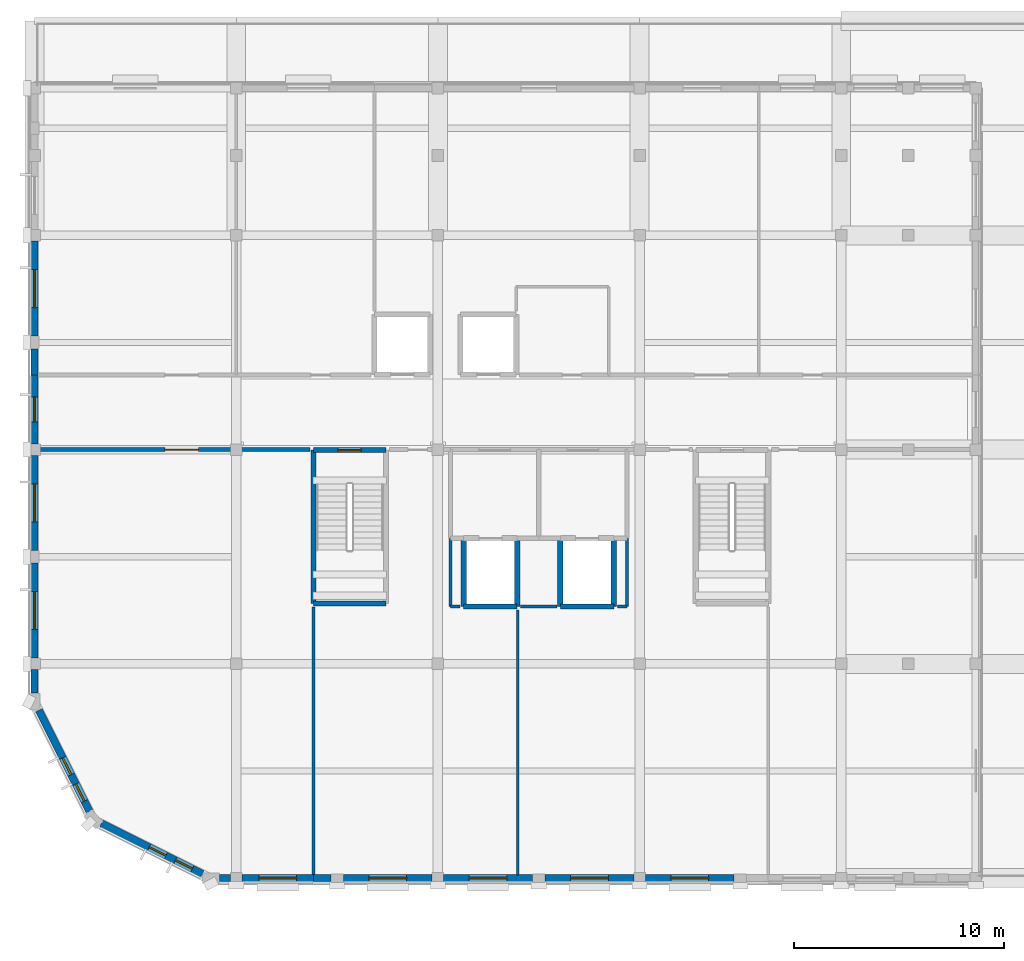
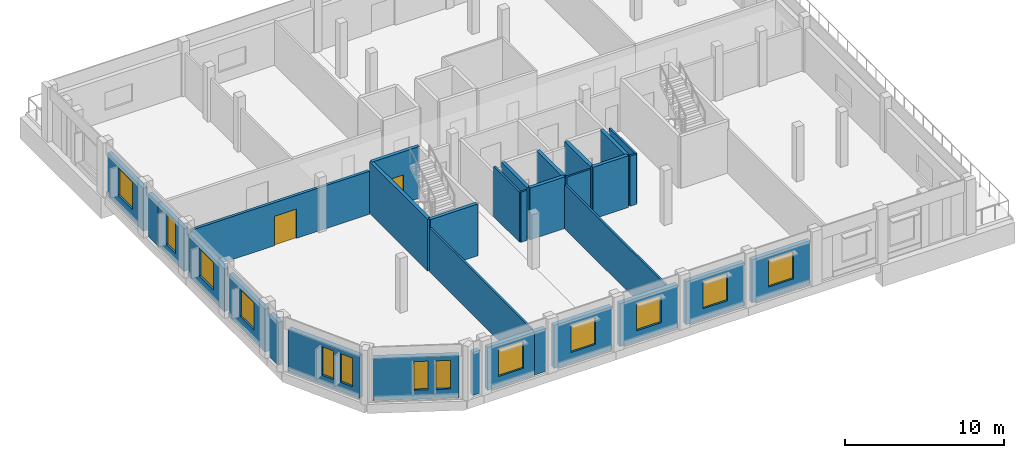
# One storey, part 59 of 70: 32 walls, 13 windows, 2 doors, 15 openings.
"""IFC4 building model written with IfcOpenShell, lengths in metres."""

from ifc_helpers import new_model, si_unit, direction, frame, frame_2d, origin, place, context, subcontext, project, spatial, rectangle, extrude, material, layer, layer_set, type_object, element, fill, save


model = new_model("IFC4")

# Units and contexts
model_context = context("Model", 3, precision=1e-05, world=origin(), true_north=direction((0.0, 1.0)))
body_context = subcontext(model_context, "Body", "Model", "MODEL_VIEW")
ifc_project = project(units=[si_unit("LENGTHUNIT", "METRE"), si_unit("AREAUNIT", "SQUARE_METRE"), si_unit("VOLUMEUNIT", "CUBIC_METRE"), si_unit("PLANEANGLEUNIT", "RADIAN"), si_unit("MASSUNIT", "GRAM", prefix="KILO")], contexts=[model_context])

# Site, building, storey
site_placement = place(None, origin())
site = spatial("IfcSite", under=ifc_project, at=site_placement, CompositionType="ELEMENT")
building_placement = place(site_placement, origin())
building = spatial("IfcBuilding", under=site, at=building_placement, Name="Vondelvale Polytechnic", CompositionType="ELEMENT")
storey_placement = place(building_placement, frame((0.0, 0.0, 22.199951171875)))
storey = spatial("IfcBuildingStorey", under=building, at=storey_placement, Name="L05", CompositionType="ELEMENT", Elevation=22.199951171875)

# Wall
ifc_material_1 = material(Name="Amsterdam School iron-spot clinker clay brickwork", Category="masonry")
ifc_layer_1 = layer(ifc_material_1, 0.320068359375)
ifc_layer_set_1 = layer_set([ifc_layer_1], Name="WL-BRICK-320")
wall_type_1 = type_object("IfcWallType", Name="WL-BRICK-320", PredefinedType="SOLIDWALL", material=ifc_layer_set_1)
wall_1_placement = place(storey_placement, frame((9.323974609375, 0.0, 0.0), z_axis=(0.0, 0.0, 1.0), x_axis=(-1.0, 0.0, 0.0)))
element("IfcWall", 1, at=wall_1_placement, inside=storey, type_object=wall_type_1, Name="L05 exterior masonry facade wall", PredefinedType="SOLIDWALL", context=body_context, shape_type="SweptSolid", body=[
    extrude(rectangle(XDim=0.52294921875, YDim=0.320068359375, at=frame_2d((0.261474609375, 0.0))), origin(), (0.0, 0.0, 1.0), 3.300048828125),
])

# Wall, opening, window
wall_2_placement = place(storey_placement, frame((13.27490234375, 0.0, 0.0), z_axis=(0.0, 0.0, 1.0), x_axis=(-1.0, 0.0, 0.0)))
wall_2 = element("IfcWall", 2, at=wall_2_placement, inside=storey, type_object=wall_type_1, Name="L05 exterior masonry facade wall", PredefinedType="SOLIDWALL", context=body_context, shape_type="SweptSolid", body=[
    extrude(rectangle(XDim=3.39892578125, YDim=0.320068359375, at=frame_2d((1.699462890625, 0.0))), origin(), (0.0, 0.0, 1.0), 3.300048828125),
])
opening_1_placement = place(wall_2_placement, frame((0.799560546875, 0.0, 0.800048828125)))
opening_1 = element("IfcOpeningElement", 3, at=opening_1_placement, cuts=wall_2, Name="Opening WN-0256", PredefinedType="OPENING", context=body_context, shape_type="SweptSolid", body=[
    extrude(rectangle(XDim=1.800048828125, YDim=2.10009765625, at=frame_2d((0.89990234375, 1.050048828125))), frame((0.0, 0.169921875, 0.0), z_axis=(0.0, -1.0, 0.0), x_axis=(1.0, 0.0, 0.0)), (0.0, 0.0, 1.0), 0.340087890625),
])
ifc_material_2 = material(Name="Double-glazed low-E insulated architectural glass", Category="glass")
window_type_1 = type_object("IfcWindowType", Name="WN-LAB-1800x2100", PartitioningType="SINGLE_PANEL", PredefinedType="WINDOW", material=ifc_material_2)
window_1_placement = place(opening_1_placement, origin())
window_1 = element("IfcWindow", 4, at=window_1_placement, inside=storey, type_object=window_type_1, Name="L05 double-glazed architectural window WN-0256", OverallHeight=2.10009765625, OverallWidth=1.800048828125, PartitioningType="SINGLE_PANEL", PredefinedType="WINDOW", context=body_context, shape_type="SweptSolid", body=[
    extrude(rectangle(XDim=1.800048828125, YDim=2.10009765625, at=frame_2d((0.89990234375, 1.050048828125))), frame((0.0, 0.030029296875, 0.0), z_axis=(0.0, -1.0, 0.0), x_axis=(1.0, 0.0, 0.0)), (0.0, 0.0, 1.0), 0.06005859375),
])
fill(opening_1, window_1)

# Wall
wall_3_placement = place(storey_placement, frame((14.09912109375, 0.0, 0.0), z_axis=(0.0, 0.0, 1.0), x_axis=(-1.0, 0.0, 0.0)))
element("IfcWall", 5, at=wall_3_placement, inside=storey, type_object=wall_type_1, Name="L05 exterior masonry facade wall", PredefinedType="SOLIDWALL", context=body_context, shape_type="SweptSolid", body=[
    extrude(rectangle(XDim=0.82421875, YDim=0.320068359375, at=frame_2d((0.412109375, 0.0))), origin(), (0.0, 0.0, 1.0), 3.300048828125),
])

# Wall, opening, window
wall_4_placement = place(storey_placement, frame((18.924072265625, 0.0, 0.0), z_axis=(0.0, 0.0, 1.0), x_axis=(-1.0, 0.0, 0.0)))
wall_4 = element("IfcWall", 6, at=wall_4_placement, inside=storey, type_object=wall_type_1, Name="L05 exterior masonry facade wall", PredefinedType="SOLIDWALL", context=body_context, shape_type="SweptSolid", body=[
    extrude(rectangle(XDim=4.22314453125, YDim=0.320068359375, at=frame_2d((2.111572265625, 0.0))), origin(), (0.0, 0.0, 1.0), 3.300048828125),
])
opening_2_placement = place(wall_4_placement, frame((1.21142578125, 0.0, 0.800048828125)))
opening_2 = element("IfcOpeningElement", 7, at=opening_2_placement, cuts=wall_4, Name="Opening WN-0257", PredefinedType="OPENING", context=body_context, shape_type="SweptSolid", body=[
    extrude(rectangle(XDim=1.800048828125, YDim=2.10009765625, at=frame_2d((0.89990234375, 1.050048828125))), frame((0.0, 0.169921875, 0.0), z_axis=(0.0, -1.0, 0.0), x_axis=(1.0, 0.0, 0.0)), (0.0, 0.0, 1.0), 0.340087890625),
])
window_2_placement = place(opening_2_placement, origin())
window_2 = element("IfcWindow", 8, at=window_2_placement, inside=storey, type_object=window_type_1, Name="L05 double-glazed architectural window WN-0257", OverallHeight=2.10009765625, OverallWidth=1.800048828125, PartitioningType="SINGLE_PANEL", PredefinedType="WINDOW", context=body_context, shape_type="SweptSolid", body=[
    extrude(rectangle(XDim=1.800048828125, YDim=2.10009765625, at=frame_2d((0.89990234375, 1.050048828125))), frame((0.0, 0.030029296875, 0.0), z_axis=(0.0, -1.0, 0.0), x_axis=(1.0, 0.0, 0.0)), (0.0, 0.0, 1.0), 0.06005859375),
])
fill(opening_2, window_2)

wall_5_placement = place(storey_placement, frame((23.698974609375, 0.0, 0.0), z_axis=(0.0, 0.0, 1.0), x_axis=(-1.0, 0.0, 0.0)))
wall_5 = element("IfcWall", 9, at=wall_5_placement, inside=storey, type_object=wall_type_1, Name="L05 exterior masonry facade wall", PredefinedType="SOLIDWALL", context=body_context, shape_type="SweptSolid", body=[
    extrude(rectangle(XDim=4.222900390625, YDim=0.320068359375, at=frame_2d((2.111328125, 0.0))), origin(), (0.0, 0.0, 1.0), 3.300048828125),
])
opening_3_placement = place(wall_5_placement, frame((1.21142578125, 0.0, 0.800048828125)))
opening_3 = element("IfcOpeningElement", 10, at=opening_3_placement, cuts=wall_5, Name="Opening WN-0258", PredefinedType="OPENING", context=body_context, shape_type="SweptSolid", body=[
    extrude(rectangle(XDim=1.800048828125, YDim=2.10009765625, at=frame_2d((0.89990234375, 1.050048828125))), frame((0.0, 0.169921875, 0.0), z_axis=(0.0, -1.0, 0.0), x_axis=(1.0, 0.0, 0.0)), (0.0, 0.0, 1.0), 0.340087890625),
])
window_3_placement = place(opening_3_placement, origin())
window_3 = element("IfcWindow", 11, at=window_3_placement, inside=storey, type_object=window_type_1, Name="L05 double-glazed architectural window WN-0258", OverallHeight=2.10009765625, OverallWidth=1.800048828125, PartitioningType="SINGLE_PANEL", PredefinedType="WINDOW", context=body_context, shape_type="SweptSolid", body=[
    extrude(rectangle(XDim=1.800048828125, YDim=2.10009765625, at=frame_2d((0.89990234375, 1.050048828125))), frame((0.0, 0.030029296875, 0.0), z_axis=(0.0, -1.0, 0.0), x_axis=(1.0, 0.0, 0.0)), (0.0, 0.0, 1.0), 0.06005859375),
])
fill(opening_3, window_3)

wall_6_placement = place(storey_placement, frame((28.52392578125, 0.0, 0.0), z_axis=(0.0, 0.0, 1.0), x_axis=(-1.0, 0.0, 0.0)))
wall_6 = element("IfcWall", 12, at=wall_6_placement, inside=storey, type_object=wall_type_1, Name="L05 exterior masonry facade wall", PredefinedType="SOLIDWALL", context=body_context, shape_type="SweptSolid", body=[
    extrude(rectangle(XDim=4.222900390625, YDim=0.320068359375, at=frame_2d((2.111328125, 0.0))), origin(), (0.0, 0.0, 1.0), 3.300048828125),
])
opening_4_placement = place(wall_6_placement, frame((1.21142578125, 0.0, 0.800048828125)))
opening_4 = element("IfcOpeningElement", 13, at=opening_4_placement, cuts=wall_6, Name="Opening WN-0259", PredefinedType="OPENING", context=body_context, shape_type="SweptSolid", body=[
    extrude(rectangle(XDim=1.800048828125, YDim=2.10009765625, at=frame_2d((0.89990234375, 1.050048828125))), frame((0.0, 0.169921875, 0.0), z_axis=(0.0, -1.0, 0.0), x_axis=(1.0, 0.0, 0.0)), (0.0, 0.0, 1.0), 0.340087890625),
])
window_4_placement = place(opening_4_placement, origin())
window_4 = element("IfcWindow", 14, at=window_4_placement, inside=storey, type_object=window_type_1, Name="L05 double-glazed architectural window WN-0259", OverallHeight=2.10009765625, OverallWidth=1.800048828125, PartitioningType="SINGLE_PANEL", PredefinedType="WINDOW", context=body_context, shape_type="SweptSolid", body=[
    extrude(rectangle(XDim=1.800048828125, YDim=2.10009765625, at=frame_2d((0.89990234375, 1.050048828125))), frame((0.0, 0.030029296875, 0.0), z_axis=(0.0, -1.0, 0.0), x_axis=(1.0, 0.0, 0.0)), (0.0, 0.0, 1.0), 0.06005859375),
])
fill(opening_4, window_4)

wall_7_placement = place(storey_placement, frame((33.299072265625, 0.0, 0.0), z_axis=(0.0, 0.0, 1.0), x_axis=(-1.0, 0.0, 0.0)))
wall_7 = element("IfcWall", 15, at=wall_7_placement, inside=storey, type_object=wall_type_1, Name="L05 exterior masonry facade wall", PredefinedType="SOLIDWALL", context=body_context, shape_type="SweptSolid", body=[
    extrude(rectangle(XDim=4.22314453125, YDim=0.320068359375, at=frame_2d((2.111572265625, 0.0))), origin(), (0.0, 0.0, 1.0), 3.300048828125),
])
opening_5_placement = place(wall_7_placement, frame((1.21142578125, 0.0, 0.800048828125)))
opening_5 = element("IfcOpeningElement", 16, at=opening_5_placement, cuts=wall_7, Name="Opening WN-0260", PredefinedType="OPENING", context=body_context, shape_type="SweptSolid", body=[
    extrude(rectangle(XDim=1.800048828125, YDim=2.10009765625, at=frame_2d((0.89990234375, 1.050048828125))), frame((0.0, 0.169921875, 0.0), z_axis=(0.0, -1.0, 0.0), x_axis=(1.0, 0.0, 0.0)), (0.0, 0.0, 1.0), 0.340087890625),
])
window_5_placement = place(opening_5_placement, origin())
window_5 = element("IfcWindow", 17, at=window_5_placement, inside=storey, type_object=window_type_1, Name="L05 double-glazed architectural window WN-0260", OverallHeight=2.10009765625, OverallWidth=1.800048828125, PartitioningType="SINGLE_PANEL", PredefinedType="WINDOW", context=body_context, shape_type="SweptSolid", body=[
    extrude(rectangle(XDim=1.800048828125, YDim=2.10009765625, at=frame_2d((0.89990234375, 1.050048828125))), frame((0.0, 0.030029296875, 0.0), z_axis=(0.0, -1.0, 0.0), x_axis=(1.0, 0.0, 0.0)), (0.0, 0.0, 1.0), 0.06005859375),
])
fill(opening_5, window_5)

# Wall
wall_8_placement = place(storey_placement, frame((0.0, 8.801025390625, 0.0), z_axis=(0.0, 0.0, 1.0), x_axis=(0.0, 1.0, 0.0)))
element("IfcWall", 18, at=wall_8_placement, inside=storey, type_object=wall_type_1, Name="L05 exterior masonry facade wall", PredefinedType="SOLIDWALL", context=body_context, shape_type="SweptSolid", body=[
    extrude(rectangle(XDim=1.123046875, YDim=0.320068359375, at=frame_2d((0.5615234375, 0.0))), origin(), (0.0, 0.0, 1.0), 3.300048828125),
])

# Wall, opening, window
wall_9_placement = place(storey_placement, frame((0.0, 10.47607421875, 0.0), z_axis=(0.0, 0.0, 1.0), x_axis=(0.0, 1.0, 0.0)))
wall_9 = element("IfcWall", 19, at=wall_9_placement, inside=storey, type_object=wall_type_1, Name="L05 exterior masonry facade wall", PredefinedType="SOLIDWALL", context=body_context, shape_type="SweptSolid", body=[
    extrude(rectangle(XDim=4.52294921875, YDim=0.320068359375, at=frame_2d((2.261474609375, 0.0))), origin(), (0.0, 0.0, 1.0), 3.300048828125),
])
opening_6_placement = place(wall_9_placement, frame((1.361572265625, 0.0, 0.85009765625)))
opening_6 = element("IfcOpeningElement", 20, at=opening_6_placement, cuts=wall_9, Name="Opening WN-0263", PredefinedType="OPENING", context=body_context, shape_type="SweptSolid", body=[
    extrude(rectangle(XDim=1.800048828125, YDim=2.10009765625, at=frame_2d((0.89990234375, 1.050048828125))), frame((0.0, 0.169921875, 0.0), z_axis=(0.0, -1.0, 0.0), x_axis=(1.0, 0.0, 0.0)), (0.0, 0.0, 1.0), 0.340087890625),
])
window_6_placement = place(opening_6_placement, origin())
window_6 = element("IfcWindow", 21, at=window_6_placement, inside=storey, type_object=window_type_1, Name="L05 double-glazed architectural window WN-0263", OverallHeight=2.10009765625, OverallWidth=1.800048828125, PartitioningType="SINGLE_PANEL", PredefinedType="WINDOW", context=body_context, shape_type="SweptSolid", body=[
    extrude(rectangle(XDim=1.800048828125, YDim=2.10009765625, at=frame_2d((0.89990234375, 1.050048828125))), frame((0.0, 0.030029296875, 0.0), z_axis=(0.0, -1.0, 0.0), x_axis=(1.0, 0.0, 0.0)), (0.0, 0.0, 1.0), 0.06005859375),
])
fill(opening_6, window_6)

wall_10_placement = place(storey_placement, frame((0.0, 15.60107421875, 0.0), z_axis=(0.0, 0.0, 1.0), x_axis=(0.0, 1.0, 0.0)))
wall_10 = element("IfcWall", 22, at=wall_10_placement, inside=storey, type_object=wall_type_1, Name="L05 exterior masonry facade wall", PredefinedType="SOLIDWALL", context=body_context, shape_type="SweptSolid", body=[
    extrude(rectangle(XDim=4.52294921875, YDim=0.320068359375, at=frame_2d((2.261474609375, 0.0))), origin(), (0.0, 0.0, 1.0), 3.300048828125),
])
opening_7_placement = place(wall_10_placement, frame((1.361572265625, 0.0, 0.85009765625)))
opening_7 = element("IfcOpeningElement", 23, at=opening_7_placement, cuts=wall_10, Name="Opening WN-0264", PredefinedType="OPENING", context=body_context, shape_type="SweptSolid", body=[
    extrude(rectangle(XDim=1.800048828125, YDim=2.10009765625, at=frame_2d((0.89990234375, 1.050048828125))), frame((0.0, 0.169921875, 0.0), z_axis=(0.0, -1.0, 0.0), x_axis=(1.0, 0.0, 0.0)), (0.0, 0.0, 1.0), 0.340087890625),
])
window_7_placement = place(opening_7_placement, origin())
window_7 = element("IfcWindow", 24, at=window_7_placement, inside=storey, type_object=window_type_1, Name="L05 double-glazed architectural window WN-0264", OverallHeight=2.10009765625, OverallWidth=1.800048828125, PartitioningType="SINGLE_PANEL", PredefinedType="WINDOW", context=body_context, shape_type="SweptSolid", body=[
    extrude(rectangle(XDim=1.800048828125, YDim=2.10009765625, at=frame_2d((0.89990234375, 1.050048828125))), frame((0.0, 0.030029296875, 0.0), z_axis=(0.0, -1.0, 0.0), x_axis=(1.0, 0.0, 0.0)), (0.0, 0.0, 1.0), 0.06005859375),
])
fill(opening_7, window_7)

wall_11_placement = place(storey_placement, frame((0.0, 20.676025390625, 0.0), z_axis=(0.0, 0.0, 1.0), x_axis=(0.0, 1.0, 0.0)))
wall_11 = element("IfcWall", 25, at=wall_11_placement, inside=storey, type_object=wall_type_1, Name="L05 exterior masonry facade wall", PredefinedType="SOLIDWALL", context=body_context, shape_type="SweptSolid", body=[
    extrude(rectangle(XDim=3.27392578125, YDim=0.320068359375, at=frame_2d((1.636962890625, 0.0))), origin(), (0.0, 0.0, 1.0), 3.300048828125),
])
opening_8_placement = place(wall_11_placement, frame((1.037109375, 0.0, 0.75)))
opening_8 = element("IfcOpeningElement", 26, at=opening_8_placement, cuts=wall_11, Name="Opening WN-0265", PredefinedType="OPENING", context=body_context, shape_type="SweptSolid", body=[
    extrude(rectangle(XDim=1.199951171875, YDim=2.39990234375, at=frame_2d((0.60009765625, 1.199951171875))), frame((0.0, 0.169921875, 0.0), z_axis=(0.0, -1.0, 0.0), x_axis=(1.0, 0.0, 0.0)), (0.0, 0.0, 1.0), 0.340087890625),
])
window_type_2 = type_object("IfcWindowType", Name="WN-ARCH-1200x2400", PartitioningType="SINGLE_PANEL", PredefinedType="WINDOW", material=ifc_material_2)
window_8_placement = place(opening_8_placement, origin())
window_8 = element("IfcWindow", 27, at=window_8_placement, inside=storey, type_object=window_type_2, Name="L05 double-glazed architectural window WN-0265", OverallHeight=2.39990234375, OverallWidth=1.199951171875, PartitioningType="SINGLE_PANEL", PredefinedType="WINDOW", context=body_context, shape_type="SweptSolid", body=[
    extrude(rectangle(XDim=1.199951171875, YDim=2.39990234375, at=frame_2d((0.60009765625, 1.199951171875))), frame((0.0, 0.030029296875, 0.0), z_axis=(0.0, -1.0, 0.0), x_axis=(1.0, 0.0, 0.0)), (0.0, 0.0, 1.0), 0.06005859375),
])
fill(opening_8, window_8)

# Wall
wall_12_placement = place(storey_placement, frame((0.0, 23.949951171875, 0.0), z_axis=(0.0, 0.0, 1.0), x_axis=(0.0, 1.0, 0.0)))
element("IfcWall", 28, at=wall_12_placement, inside=storey, type_object=wall_type_1, Name="L05 exterior masonry facade wall", PredefinedType="SOLIDWALL", context=body_context, shape_type="SweptSolid", body=[
    extrude(rectangle(XDim=1.2490234375, YDim=0.320068359375, at=frame_2d((0.62451171875, 0.0))), origin(), (0.0, 0.0, 1.0), 3.300048828125),
])

# Wall, opening, window
wall_13_placement = place(storey_placement, frame((0.0, 25.801025390625, 0.0), z_axis=(0.0, 0.0, 1.0), x_axis=(0.0, 1.0, 0.0)))
wall_13 = element("IfcWall", 29, at=wall_13_placement, inside=storey, type_object=wall_type_1, Name="L05 exterior masonry facade wall", PredefinedType="SOLIDWALL", context=body_context, shape_type="SweptSolid", body=[
    extrude(rectangle(XDim=4.52294921875, YDim=0.320068359375, at=frame_2d((2.261474609375, 0.0))), origin(), (0.0, 0.0, 1.0), 3.300048828125),
])
opening_9_placement = place(wall_13_placement, frame((1.361572265625, 0.0, 0.85009765625)))
opening_9 = element("IfcOpeningElement", 30, at=opening_9_placement, cuts=wall_13, Name="Opening WN-0266", PredefinedType="OPENING", context=body_context, shape_type="SweptSolid", body=[
    extrude(rectangle(XDim=1.800048828125, YDim=2.10009765625, at=frame_2d((0.89990234375, 1.050048828125))), frame((0.0, 0.169921875, 0.0), z_axis=(0.0, -1.0, 0.0), x_axis=(1.0, 0.0, 0.0)), (0.0, 0.0, 1.0), 0.340087890625),
])
window_9_placement = place(opening_9_placement, origin())
window_9 = element("IfcWindow", 31, at=window_9_placement, inside=storey, type_object=window_type_1, Name="L05 double-glazed architectural window WN-0266", OverallHeight=2.10009765625, OverallWidth=1.800048828125, PartitioningType="SINGLE_PANEL", PredefinedType="WINDOW", context=body_context, shape_type="SweptSolid", body=[
    extrude(rectangle(XDim=1.800048828125, YDim=2.10009765625, at=frame_2d((0.89990234375, 1.050048828125))), frame((0.0, 0.030029296875, 0.0), z_axis=(0.0, -1.0, 0.0), x_axis=(1.0, 0.0, 0.0)), (0.0, 0.0, 1.0), 0.06005859375),
])
fill(opening_9, window_9)

# Wall, openings, windows
ifc_layer_2 = layer(ifc_material_1, 0.35009765625)
ifc_layer_set_2 = layer_set([ifc_layer_2], Name="WL-BRICK-350")
wall_type_2 = type_object("IfcWallType", Name="WL-BRICK-350", PredefinedType="SOLIDWALL", material=ifc_layer_set_2)
wall_14_placement = place(storey_placement, frame((7.9990234375, 0.200439453125, 0.0), z_axis=(0.0, 0.0, 1.0), x_axis=(-0.894418132042, 0.447231712958, 0.0)))
wall_14 = element("IfcWall", 32, at=wall_14_placement, inside=storey, type_object=wall_type_2, Name="L05 exterior masonry facade wall", PredefinedType="SOLIDWALL", context=body_context, shape_type="SweptSolid", body=[
    extrude(rectangle(XDim=5.39013671875, YDim=0.35009765625, at=frame_2d((2.695068359375, 0.0))), origin(), (0.0, 0.0, 1.0), 3.255126953125),
])
opening_10_placement = place(wall_14_placement, frame((0.550048828125, 0.0, 0.699951171875)))
opening_10 = element("IfcOpeningElement", 33, at=opening_10_placement, cuts=wall_14, Name="Opening WN-0252", PredefinedType="OPENING", context=body_context, shape_type="SweptSolid", body=[
    extrude(rectangle(XDim=0.89990234375, YDim=2.199951171875, at=frame_2d((0.449951171875, 1.10009765625))), frame((0.0, 0.18505859375, 0.0), z_axis=(0.0, -1.0, 0.0), x_axis=(1.0, 0.0, 0.0)), (0.0, 0.0, 1.0), 0.3701171875),
])
opening_11_placement = place(wall_14_placement, frame((1.949951171875, 0.0, 0.699951171875)))
opening_11 = element("IfcOpeningElement", 34, at=opening_11_placement, cuts=wall_14, Name="Opening WN-0253", PredefinedType="OPENING", context=body_context, shape_type="SweptSolid", body=[
    extrude(rectangle(XDim=0.89990234375, YDim=2.199951171875, at=frame_2d((0.449951171875, 1.10009765625))), frame((0.0, 0.18505859375, 0.0), z_axis=(0.0, -1.0, 0.0), x_axis=(1.0, 0.0, 0.0)), (0.0, 0.0, 1.0), 0.3701171875),
])
window_type_3 = type_object("IfcWindowType", Name="WN-TUR-0900x2200", PartitioningType="SINGLE_PANEL", PredefinedType="WINDOW", material=ifc_material_2)
window_10_placement = place(opening_10_placement, origin())
window_10 = element("IfcWindow", 35, at=window_10_placement, inside=storey, type_object=window_type_3, Name="L05 double-glazed architectural window WN-0252", OverallHeight=2.199951171875, OverallWidth=0.89990234375, PartitioningType="SINGLE_PANEL", PredefinedType="WINDOW", context=body_context, shape_type="SweptSolid", body=[
    extrude(rectangle(XDim=0.89990234375, YDim=2.199951171875, at=frame_2d((0.449951171875, 1.10009765625))), frame((0.0, 0.030029296875, 0.0), z_axis=(0.0, -1.0, 0.0), x_axis=(1.0, 0.0, 0.0)), (0.0, 0.0, 1.0), 0.06005859375),
])
fill(opening_10, window_10)
window_11_placement = place(opening_11_placement, origin())
window_11 = element("IfcWindow", 36, at=window_11_placement, inside=storey, type_object=window_type_3, Name="L05 double-glazed architectural window WN-0253", OverallHeight=2.199951171875, OverallWidth=0.89990234375, PartitioningType="SINGLE_PANEL", PredefinedType="WINDOW", context=body_context, shape_type="SweptSolid", body=[
    extrude(rectangle(XDim=0.89990234375, YDim=2.199951171875, at=frame_2d((0.449951171875, 1.10009765625))), frame((0.0, 0.030029296875, 0.0), z_axis=(0.0, -1.0, 0.0), x_axis=(1.0, 0.0, 0.0)), (0.0, 0.0, 1.0), 0.06005859375),
])
fill(opening_11, window_11)

wall_15_placement = place(storey_placement, frame((2.611083984375, 3.177978515625, 0.0), z_axis=(0.0, 0.0, 1.0), x_axis=(-0.447231712958, 0.894418132042, 0.0)))
wall_15 = element("IfcWall", 37, at=wall_15_placement, inside=storey, type_object=wall_type_2, Name="L05 exterior masonry facade wall", PredefinedType="SOLIDWALL", context=body_context, shape_type="SweptSolid", body=[
    extrude(rectangle(XDim=5.39013671875, YDim=0.35009765625, at=frame_2d((2.695068359375, 0.0))), origin(), (0.0, 0.0, 1.0), 3.255126953125),
])
opening_12_placement = place(wall_15_placement, frame((0.550048828125, 0.0, 0.699951171875)))
opening_12 = element("IfcOpeningElement", 38, at=opening_12_placement, cuts=wall_15, Name="Opening WN-0254", PredefinedType="OPENING", context=body_context, shape_type="SweptSolid", body=[
    extrude(rectangle(XDim=0.89990234375, YDim=2.199951171875, at=frame_2d((0.449951171875, 1.10009765625))), frame((0.0, 0.18505859375, 0.0), z_axis=(0.0, -1.0, 0.0), x_axis=(1.0, 0.0, 0.0)), (0.0, 0.0, 1.0), 0.3701171875),
])
opening_13_placement = place(wall_15_placement, frame((1.949951171875, 0.0, 0.699951171875)))
opening_13 = element("IfcOpeningElement", 39, at=opening_13_placement, cuts=wall_15, Name="Opening WN-0255", PredefinedType="OPENING", context=body_context, shape_type="SweptSolid", body=[
    extrude(rectangle(XDim=0.89990234375, YDim=2.199951171875, at=frame_2d((0.449951171875, 1.10009765625))), frame((0.0, 0.18505859375, 0.0), z_axis=(0.0, -1.0, 0.0), x_axis=(1.0, 0.0, 0.0)), (0.0, 0.0, 1.0), 0.3701171875),
])
window_12_placement = place(opening_12_placement, origin())
window_12 = element("IfcWindow", 40, at=window_12_placement, inside=storey, type_object=window_type_3, Name="L05 double-glazed architectural window WN-0254", OverallHeight=2.199951171875, OverallWidth=0.89990234375, PartitioningType="SINGLE_PANEL", PredefinedType="WINDOW", context=body_context, shape_type="SweptSolid", body=[
    extrude(rectangle(XDim=0.89990234375, YDim=2.199951171875, at=frame_2d((0.449951171875, 1.10009765625))), frame((0.0, 0.030029296875, 0.0), z_axis=(0.0, -1.0, 0.0), x_axis=(1.0, 0.0, 0.0)), (0.0, 0.0, 1.0), 0.06005859375),
])
fill(opening_12, window_12)
window_13_placement = place(opening_13_placement, origin())
window_13 = element("IfcWindow", 41, at=window_13_placement, inside=storey, type_object=window_type_3, Name="L05 double-glazed architectural window WN-0255", OverallHeight=2.199951171875, OverallWidth=0.89990234375, PartitioningType="SINGLE_PANEL", PredefinedType="WINDOW", context=body_context, shape_type="SweptSolid", body=[
    extrude(rectangle(XDim=0.89990234375, YDim=2.199951171875, at=frame_2d((0.449951171875, 1.10009765625))), frame((0.0, 0.030029296875, 0.0), z_axis=(0.0, -1.0, 0.0), x_axis=(1.0, 0.0, 0.0)), (0.0, 0.0, 1.0), 0.06005859375),
])
fill(opening_13, window_13)

# Walls
ifc_material_3 = material(Name="Concrete N40 (f'c = 40 MPa)", Category="concrete")
ifc_layer_3 = layer(ifc_material_3, 0.25)
ifc_layer_set_3 = layer_set([ifc_layer_3], Name="WL-CORE-250")
wall_type_3 = type_object("IfcWallType", Name="WL-CORE-250", PredefinedType="SOLIDWALL", material=ifc_layer_set_3)
wall_16_placement = place(storey_placement, frame((13.27490234375, 20.375, 0.0), z_axis=(0.0, 0.0, 1.0), x_axis=(0.0, -1.0, 0.0)))
element("IfcWall", 42, at=wall_16_placement, inside=storey, type_object=wall_type_3, Name="L05 ST-03 reinforced concrete stair core wall", PredefinedType="SOLIDWALL", context=body_context, shape_type="SweptSolid", body=[
    extrude(rectangle(XDim=7.300048828125, YDim=0.25, at=frame_2d((3.64990234375, 0.0))), origin(), (0.0, 0.0, 1.0), 3.97509765625),
])
wall_17_placement = place(storey_placement, frame((13.27490234375, 13.074951171875, 0.0), z_axis=(0.0, 0.0, 1.0), x_axis=(1.0, 0.0, 0.0)))
element("IfcWall", 43, at=wall_17_placement, inside=storey, type_object=wall_type_3, Name="L05 ST-03 reinforced concrete stair core wall", PredefinedType="SOLIDWALL", context=body_context, shape_type="SweptSolid", body=[
    extrude(rectangle(XDim=3.4501953125, YDim=0.25, at=frame_2d((1.72509765625, 0.0))), origin(), (0.0, 0.0, 1.0), 3.97509765625),
])

# Wall, opening, door
wall_18_placement = place(storey_placement, frame((16.72509765625, 20.375, 0.0), z_axis=(0.0, 0.0, 1.0), x_axis=(-1.0, 0.0, 0.0)))
wall_18 = element("IfcWall", 44, at=wall_18_placement, inside=storey, type_object=wall_type_3, Name="L05 ST-03 reinforced concrete stair core wall", PredefinedType="SOLIDWALL", context=body_context, shape_type="SweptSolid", body=[
    extrude(rectangle(XDim=3.4501953125, YDim=0.25, at=frame_2d((1.72509765625, 0.0))), origin(), (0.0, 0.0, 1.0), 3.97509765625),
])
opening_14_placement = place(wall_18_placement, frame((1.175048828125, 0.0, 0.0)))
opening_14 = element("IfcOpeningElement", 45, at=opening_14_placement, cuts=wall_18, Name="Opening SD-015", PredefinedType="OPENING", context=body_context, shape_type="SweptSolid", body=[
    extrude(rectangle(XDim=1.10009765625, YDim=2.199951171875, at=frame_2d((0.550048828125, 1.10009765625))), frame((0.0, 0.135009765625, 0.0), z_axis=(0.0, -1.0, 0.0), x_axis=(1.0, 0.0, 0.0)), (0.0, 0.0, 1.0), 0.27001953125),
])
ifc_material_4 = material(Name="Brushed architectural stainless and zinc-coated metal")
door_type_1 = type_object("IfcDoorType", Name="DR-STAIR-1100x2200", OperationType="SINGLE_SWING_LEFT", PredefinedType="DOOR", material=ifc_material_4)
door_1_placement = place(opening_14_placement, origin())
door_1 = element("IfcDoor", 46, at=door_1_placement, inside=storey, type_object=door_type_1, Name="L05 ST-03 fire-isolated stair door", OperationType="SINGLE_SWING_LEFT", OverallHeight=2.199951171875, OverallWidth=1.10009765625, PredefinedType="DOOR", context=body_context, shape_type="SweptSolid", body=[
    extrude(rectangle(XDim=1.10009765625, YDim=2.199951171875, at=frame_2d((0.550048828125, 1.10009765625))), frame((0.0, 0.02490234375, 0.0), z_axis=(0.0, -1.0, 0.0), x_axis=(1.0, 0.0, 0.0)), (0.0, 0.0, 1.0), 0.050048828125),
])
fill(opening_14, door_1)

ifc_material_5 = material(Name="Fire-rated double-layer plasterboard stud partition")
ifc_layer_4 = layer(ifc_material_5, 0.199951171875)
ifc_layer_set_4 = layer_set([ifc_layer_4], Name="WL-CORR-200")
wall_type_4 = type_object("IfcWallType", Name="WL-CORR-200", PredefinedType="PARTITIONING", material=ifc_layer_set_4)
wall_19_placement = place(storey_placement, frame((0.14990234375, 20.39990234375, 0.0), z_axis=(0.0, 0.0, 1.0), x_axis=(1.0, 0.0, 0.0)))
wall_19 = element("IfcWall", 47, at=wall_19_placement, inside=storey, type_object=wall_type_4, Name="L05 interior acoustic partition", PredefinedType="PARTITIONING", context=body_context, shape_type="SweptSolid", body=[
    extrude(rectangle(XDim=12.960205078125, YDim=0.199951171875, at=frame_2d((6.47998046875, 0.0))), origin(), (0.0, 0.0, 1.0), 3.304931640625),
])
opening_15_placement = place(wall_19_placement, frame((6.050048828125, 0.0, 0.0)))
opening_15 = element("IfcOpeningElement", 48, at=opening_15_placement, cuts=wall_19, Name="Opening ID-0186", PredefinedType="OPENING", context=body_context, shape_type="SweptSolid", body=[
    extrude(rectangle(XDim=1.60009765625, YDim=2.25, at=frame_2d((0.800048828125, 1.125))), frame((0.0, 0.10986328125, 0.0), z_axis=(0.0, -1.0, 0.0), x_axis=(1.0, 0.0, 0.0)), (0.0, 0.0, 1.0), 0.219970703125),
])
ifc_material_6 = material(Name="Fire-rated solid Tasmanian oak joinery")
door_type_2 = type_object("IfcDoorType", Name="DR-LAB-1600x2250", OperationType="DOUBLE_DOOR_SINGLE_SWING", PredefinedType="DOOR", material=ifc_material_6)
door_2_placement = place(opening_15_placement, origin())
door_2 = element("IfcDoor", 49, at=door_2_placement, inside=storey, type_object=door_type_2, Name="L05 interior room door ID-0186", OperationType="DOUBLE_DOOR_SINGLE_SWING", OverallHeight=2.25, OverallWidth=1.60009765625, PredefinedType="DOOR", context=body_context, shape_type="SweptSolid", body=[
    extrude(rectangle(XDim=1.60009765625, YDim=2.25, at=frame_2d((0.800048828125, 1.125))), frame((0.0, 0.02490234375, 0.0), z_axis=(0.0, -1.0, 0.0), x_axis=(1.0, 0.0, 0.0)), (0.0, 0.0, 1.0), 0.050048828125),
])
fill(opening_15, door_2)

# Walls
ifc_layer_5 = layer(ifc_material_5, 0.135009765625)
ifc_layer_set_5 = layer_set([ifc_layer_5], Name="WL-INT-135")
wall_type_5 = type_object("IfcWallType", Name="WL-INT-135", PredefinedType="PARTITIONING", material=ifc_layer_set_5)
wall_20_placement = place(storey_placement, frame((13.27490234375, 0.14990234375, 0.0), z_axis=(0.0, 0.0, 1.0), x_axis=(0.0, 1.0, 0.0)))
element("IfcWall", 50, at=wall_20_placement, inside=storey, type_object=wall_type_5, Name="L05 interior acoustic partition", PredefinedType="PARTITIONING", context=body_context, shape_type="SweptSolid", body=[
    extrude(rectangle(XDim=12.760009765625, YDim=0.135009765625, at=frame_2d((6.3798828125, 0.0))), origin(), (0.0, 0.0, 1.0), 3.405029296875),
])
wall_21_placement = place(storey_placement, frame((19.800048828125, 12.925048828125, 0.0), z_axis=(0.0, 0.0, 1.0), x_axis=(1.0, 0.0, 0.0)))
element("IfcWall", 51, at=wall_21_placement, inside=storey, type_object=wall_type_5, Name="L05 interior acoustic partition", PredefinedType="PARTITIONING", context=body_context, shape_type="SweptSolid", body=[
    extrude(rectangle(XDim=0.4599609375, YDim=0.135009765625, at=frame_2d((0.22998046875, 0.0))), origin(), (0.0, 0.0, 1.0), 3.85009765625),
])
wall_22_placement = place(storey_placement, frame((23.139892578125, 12.925048828125, 0.0), z_axis=(0.0, 0.0, 1.0), x_axis=(1.0, 0.0, 0.0)))
element("IfcWall", 52, at=wall_22_placement, inside=storey, type_object=wall_type_5, Name="L05 interior acoustic partition", PredefinedType="PARTITIONING", context=body_context, shape_type="SweptSolid", body=[
    extrude(rectangle(XDim=1.72021484375, YDim=0.135009765625, at=frame_2d((0.860107421875, 0.0))), origin(), (0.0, 0.0, 1.0), 3.85009765625),
])
wall_23_placement = place(storey_placement, frame((27.739990234375, 12.925048828125, 0.0), z_axis=(0.0, 0.0, 1.0), x_axis=(1.0, 0.0, 0.0)))
element("IfcWall", 53, at=wall_23_placement, inside=storey, type_object=wall_type_5, Name="L05 interior acoustic partition", PredefinedType="PARTITIONING", context=body_context, shape_type="SweptSolid", body=[
    extrude(rectangle(XDim=0.4599609375, YDim=0.135009765625, at=frame_2d((0.22998046875, 0.0))), origin(), (0.0, 0.0, 1.0), 3.85009765625),
])
wall_24_placement = place(storey_placement, frame((19.800048828125, 12.925048828125, 0.0), z_axis=(0.0, 0.0, 1.0), x_axis=(0.0, 1.0, 0.0)))
element("IfcWall", 54, at=wall_24_placement, inside=storey, type_object=wall_type_5, Name="L05 interior acoustic partition", PredefinedType="PARTITIONING", context=body_context, shape_type="SweptSolid", body=[
    extrude(rectangle(XDim=3.25, YDim=0.135009765625, at=frame_2d((1.625, 0.0))), origin(), (0.0, 0.0, 1.0), 3.85009765625),
])
wall_25_placement = place(storey_placement, frame((23.0, 0.14990234375, 0.0), z_axis=(0.0, 0.0, 1.0), x_axis=(0.0, 1.0, 0.0)))
element("IfcWall", 55, at=wall_25_placement, inside=storey, type_object=wall_type_5, Name="L05 interior acoustic partition", PredefinedType="PARTITIONING", context=body_context, shape_type="SweptSolid", body=[
    extrude(rectangle(XDim=12.610107421875, YDim=0.135009765625, at=frame_2d((6.30517578125, 0.0))), origin(), (0.0, 0.0, 1.0), 3.405029296875),
])
wall_26_placement = place(storey_placement, frame((28.199951171875, 12.925048828125, 0.0), z_axis=(0.0, 0.0, 1.0), x_axis=(0.0, 1.0, 0.0)))
element("IfcWall", 56, at=wall_26_placement, inside=storey, type_object=wall_type_5, Name="L05 interior acoustic partition", PredefinedType="PARTITIONING", context=body_context, shape_type="SweptSolid", body=[
    extrude(rectangle(XDim=3.25, YDim=0.135009765625, at=frame_2d((1.625, 0.0))), origin(), (0.0, 0.0, 1.0), 3.85009765625),
])
ifc_layer_6 = layer(ifc_material_3, 0.25)
ifc_layer_set_6 = layer_set([ifc_layer_6], Name="WL-SHAFT-250")
wall_type_6 = type_object("IfcWallType", Name="WL-SHAFT-250", PredefinedType="SOLIDWALL", material=ifc_layer_set_6)
wall_27_placement = place(storey_placement, frame((20.425048828125, 12.925048828125, 0.0), z_axis=(0.0, 0.0, 1.0), x_axis=(1.0, 0.0, 0.0)))
element("IfcWall", 57, at=wall_27_placement, inside=storey, type_object=wall_type_6, Name="L05 EL-01 lift shaft wall S", PredefinedType="SOLIDWALL", context=body_context, shape_type="SweptSolid", body=[
    extrude(rectangle(XDim=2.550048828125, YDim=0.25, at=frame_2d((1.27490234375, 0.0))), origin(), (0.0, 0.0, 1.0), 3.97509765625),
])
for number, where, z_axis, x_axis, name in (
    (58, (22.97509765625, 12.925048828125, 0.0), (0.0, 0.0, 1.0), (0.0, 1.0, 0.0), "L05 EL-01 lift shaft wall E"),
    (59, (20.425048828125, 16.175048828125, 0.0), (0.0, 0.0, 1.0), (0.0, -1.0, 0.0), "L05 EL-01 lift shaft wall W"),
):
    element("IfcWall", number, at=place(storey_placement, frame(where, z_axis=z_axis, x_axis=x_axis)), inside=storey, type_object=wall_type_6, Name=name, PredefinedType="SOLIDWALL", context=body_context, shape_type="SweptSolid", body=[
        extrude(rectangle(XDim=3.25, YDim=0.25, at=frame_2d((1.625, 0.0))), origin(), (0.0, 0.0, 1.0), 3.97509765625),
    ])
wall_28_placement = place(storey_placement, frame((25.02490234375, 12.925048828125, 0.0), z_axis=(0.0, 0.0, 1.0), x_axis=(1.0, 0.0, 0.0)))
element("IfcWall", 60, at=wall_28_placement, inside=storey, type_object=wall_type_6, Name="L05 EL-02 lift shaft wall S", PredefinedType="SOLIDWALL", context=body_context, shape_type="SweptSolid", body=[
    extrude(rectangle(XDim=2.550048828125, YDim=0.25, at=frame_2d((1.27490234375, 0.0))), origin(), (0.0, 0.0, 1.0), 3.97509765625),
])
for number, where, z_axis, x_axis, name in (
    (61, (27.574951171875, 12.925048828125, 0.0), (0.0, 0.0, 1.0), (0.0, 1.0, 0.0), "L05 EL-02 lift shaft wall E"),
    (62, (25.02490234375, 16.175048828125, 0.0), (0.0, 0.0, 1.0), (0.0, -1.0, 0.0), "L05 EL-02 lift shaft wall W"),
):
    element("IfcWall", number, at=place(storey_placement, frame(where, z_axis=z_axis, x_axis=x_axis)), inside=storey, type_object=wall_type_6, Name=name, PredefinedType="SOLIDWALL", context=body_context, shape_type="SweptSolid", body=[
        extrude(rectangle(XDim=3.25, YDim=0.25, at=frame_2d((1.625, 0.0))), origin(), (0.0, 0.0, 1.0), 3.97509765625),
    ])

save(model, "model.ifc")
